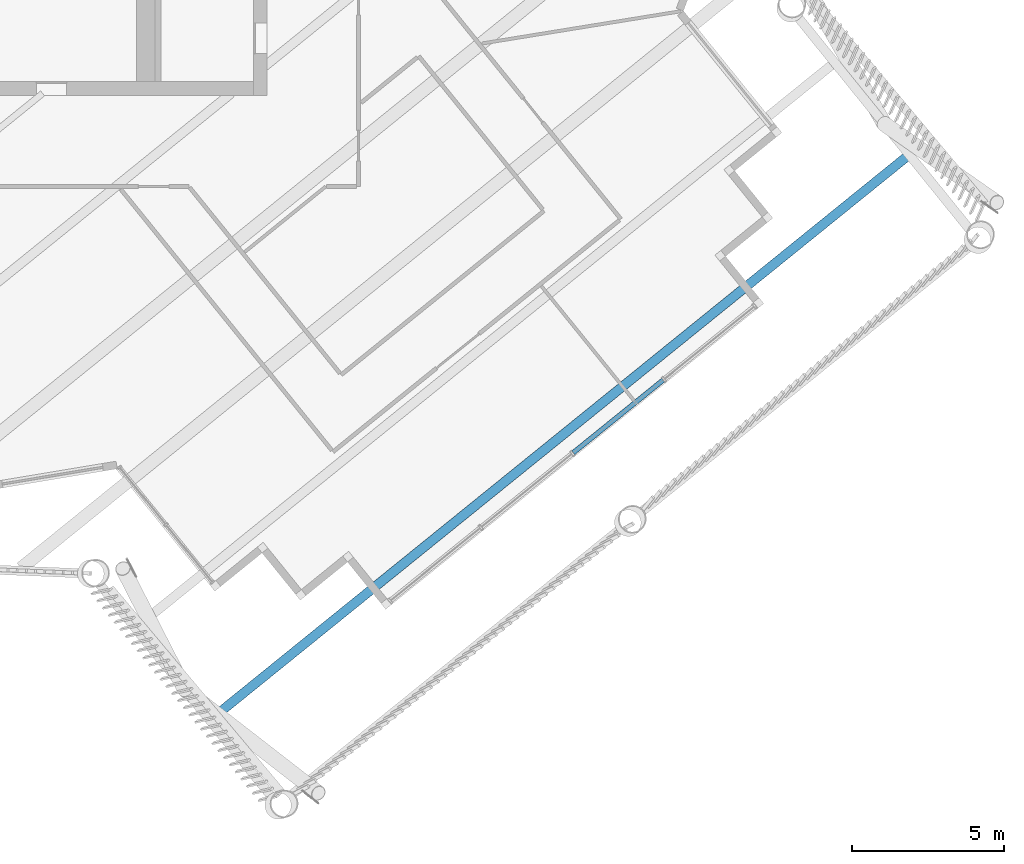
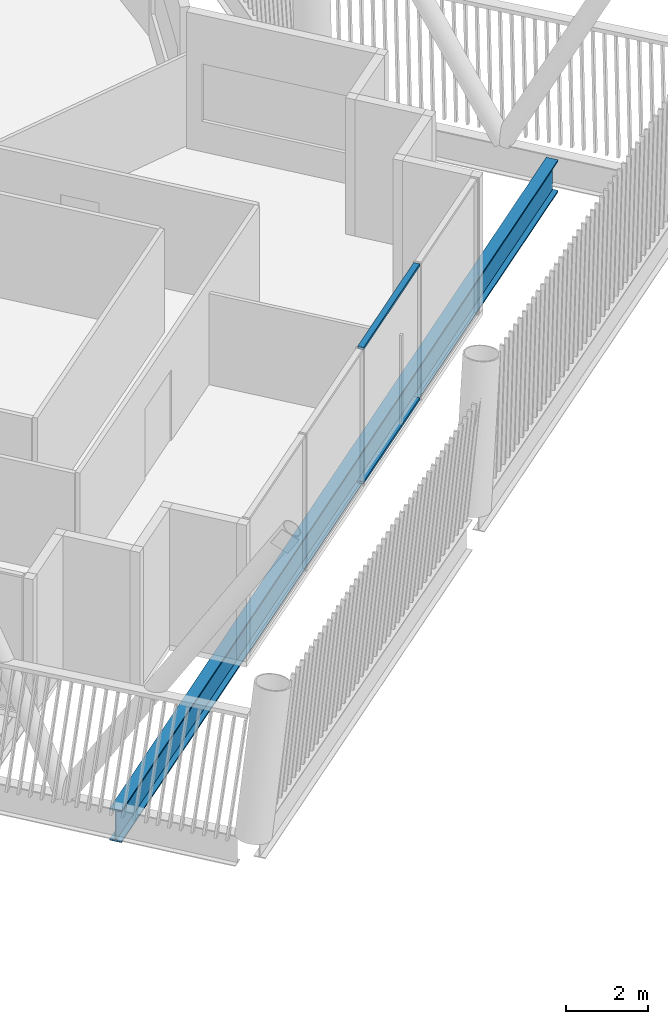
# One storey, part 15 of 36: 2 members, 1 beam, 1 element without a shape of its own.
"""IFC4 building model written with IfcOpenShell, lengths in metres."""

from ifc_helpers import new_model, si_unit, direction, frame, origin, origin_2d, place, context, subcontext, project, spatial, hollow_rectangle, i_section, extrude, material, layer, layer_set, material_profile, profile_set, type_object, element, aggregate, save


model = new_model("IFC4")

# Units and contexts
model_context = context("Model", 3, precision=1e-05, world=origin(), true_north=direction((0.0, 1.0)))
body_context = subcontext(model_context, "Body", "Model", "MODEL_VIEW")
ifc_project = project(units=[si_unit("LENGTHUNIT", "METRE"), si_unit("AREAUNIT", "SQUARE_METRE"), si_unit("VOLUMEUNIT", "CUBIC_METRE"), si_unit("PLANEANGLEUNIT", "RADIAN"), si_unit("MASSUNIT", "GRAM", prefix="KILO")], contexts=[model_context])

# Site, building, storey
site_placement = place(None, origin())
site = spatial("IfcSite", under=ifc_project, at=site_placement, CompositionType="ELEMENT")
building_placement = place(site_placement, origin())
building = spatial("IfcBuilding", under=site, at=building_placement, Name="Tarsis Ring Headquarters", CompositionType="ELEMENT")
storey_placement = place(building_placement, frame((0.0, 0.0, 386.0)))
storey = spatial("IfcBuildingStorey", under=building, at=storey_placement, Name="L91", CompositionType="ELEMENT", Elevation=386.0)

# Curtain wall, members
ifc_material_1 = material(Name="Aluminium curtain wall", Category="aluminium")
ifc_layer = layer(ifc_material_1, 0.199951171875)
ifc_layer_set = layer_set([ifc_layer], Name="Curtain wall executive tip")
curtain_wall_type = type_object("IfcCurtainWallType", Name="Curtain wall executive tip", PredefinedType="NOTDEFINED", material=ifc_layer_set)
curtain_wall_placement = place(storey_placement, origin())
curtain_wall = element("IfcCurtainWall", 1, at=curtain_wall_placement, inside=storey, type_object=curtain_wall_type, Name="Curtain wall L91-11", PredefinedType="NOTDEFINED")
ifc_material_2 = material(Name="Aluminium transom", Category="aluminium")
ifc_material_profile_1 = material_profile(ifc_material_2, hollow_rectangle(XDim=0.159912109375, YDim=0.070068359375, WallThickness=0.0048828125, at=origin_2d()), Name="RHS 160x70x5")
ifc_profile_set_1 = profile_set([ifc_material_profile_1], Name="Aluminium transom")
member_type = type_object("IfcMemberType", Name="Curtain wall transom executive tip RHS 160x70x5", PredefinedType="USERDEFINED", material=ifc_profile_set_1)
member_1_placement = place(storey_placement, frame((20.069580078125, -24.763427734375, 0.034912109375), z_axis=(0.7776093351, 0.628747741121, 0.0), x_axis=(-0.628747741121, 0.7776093351, 0.0)))
member_1 = element("IfcMember", 2, at=member_1_placement, type_object=member_type, Name="CW-E transom 3.1", ObjectType="TRANSOM", PredefinedType="USERDEFINED", context=body_context, shape_type="SweptSolid", body=[
    extrude(hollow_rectangle(XDim=0.159912109375, YDim=0.070068359375, WallThickness=0.0048828125, at=origin_2d()), origin(), (0.0, 0.0, 1.0), 3.804931640625),
])
member_2_placement = place(storey_placement, frame((20.069580078125, -24.763427734375, 4.0048828125), z_axis=(0.7776093351, 0.628747741121, 0.0), x_axis=(-0.628747741121, 0.7776093351, 0.0)))
member_2 = element("IfcMember", 3, at=member_2_placement, type_object=member_type, Name="CW-E transom 3.2", ObjectType="TRANSOM", PredefinedType="USERDEFINED", context=body_context, shape_type="SweptSolid", body=[
    extrude(hollow_rectangle(XDim=0.159912109375, YDim=0.070068359375, WallThickness=0.0048828125, at=origin_2d()), origin(), (0.0, 0.0, 1.0), 3.804931640625),
])
aggregate(curtain_wall, [member_1, member_2])

# Beam
ifc_material_3 = material(Name="Structural steel S355", Category="steel")
ifc_material_profile_2 = material_profile(ifc_material_3, i_section(OverallWidth=0.309814453125, OverallDepth=0.949951171875, WebThickness=0.0244140625, FlangeThickness=0.0439453125, at=origin_2d()), Name="W36x256")
ifc_profile_set_2 = profile_set([ifc_material_profile_2], Name="Structural steel S355")
beam_type = type_object("IfcBeamType", Name="FB Floor beam W36x256", PredefinedType="JOIST", material=ifc_profile_set_2)
beam_placement = place(storey_placement, frame((8.150390625, -33.53369140625, -0.635009765625), z_axis=(0.777585939864, 0.628776674286, 0.0), x_axis=(-0.628776674286, 0.777585939864, 0.0)))
element("IfcBeam", 4, at=beam_placement, inside=storey, type_object=beam_type, Name="Floor beam FB11", PredefinedType="JOIST", context=body_context, shape_type="SweptSolid", body=[
    extrude(i_section(OverallWidth=0.309814453125, OverallDepth=0.949951171875, WebThickness=0.0244140625, FlangeThickness=0.0439453125, at=origin_2d()), origin(), (0.0, 0.0, 1.0), 29.4951171875),
])

save(model, "model.ifc")
